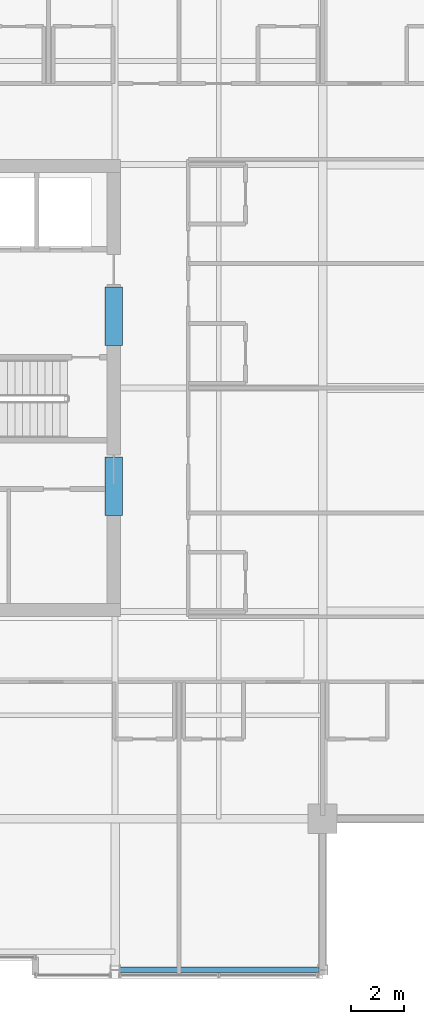
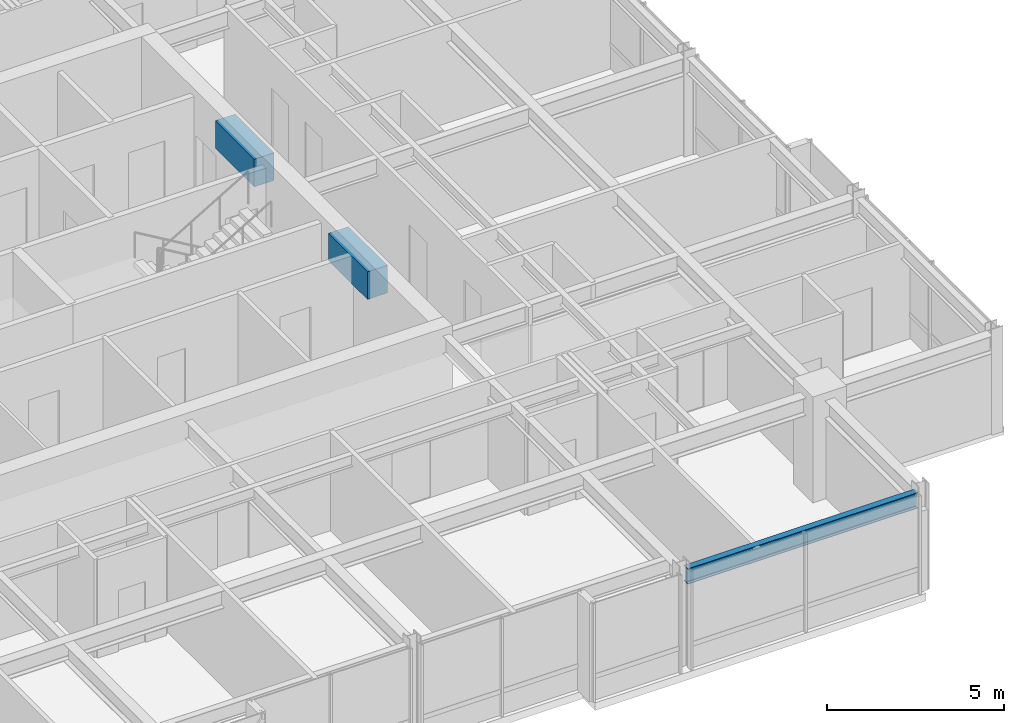
# One storey, part 14 of 33: 3 beams.
"""IFC4 building model written with IfcOpenShell, lengths in metres."""

from ifc_helpers import new_model, si_unit, direction, frame, origin, origin_2d, place, context, subcontext, project, spatial, rectangle, i_section, extrude, material, material_profile, profile_set, type_object, element, save


model = new_model("IFC4")

# Units and contexts
model_context = context("Model", 3, precision=1e-05, world=origin(), true_north=direction((0.0, 1.0)))
body_context = subcontext(model_context, "Body", "Model", "MODEL_VIEW")
ifc_project = project(units=[si_unit("LENGTHUNIT", "METRE"), si_unit("AREAUNIT", "SQUARE_METRE"), si_unit("VOLUMEUNIT", "CUBIC_METRE"), si_unit("PLANEANGLEUNIT", "RADIAN"), si_unit("MASSUNIT", "GRAM", prefix="KILO")], contexts=[model_context])

# Site, building, storey
site_placement = place(None, origin())
site = spatial("IfcSite", under=ifc_project, at=site_placement, CompositionType="ELEMENT")
building_placement = place(site_placement, origin())
building = spatial("IfcBuilding", under=site, at=building_placement, Name="Drelvath Grand Hotel", CompositionType="ELEMENT")
storey_placement = place(building_placement, frame((0.0, 0.0, 268.64990234375)))
storey = spatial("IfcBuildingStorey", under=building, at=storey_placement, Name="L70", CompositionType="ELEMENT", Elevation=268.64990234375)

# Beams
ifc_material_1 = material(Name="Concrete f'c 55 MPa", Category="concrete")
ifc_material_profile_1 = material_profile(ifc_material_1, rectangle(XDim=0.64990234375, YDim=0.949951171875, at=origin_2d()), Name="CB650X950")
ifc_profile_set_1 = profile_set([ifc_material_profile_1], Name="Concrete f'c 55 MPa")
beam_type_1 = type_object("IfcBeamType", Name="Core Coupling Lintel CB650X950", PredefinedType="LINTEL", material=ifc_profile_set_1)
for number, where, z_axis, x_axis, name in (
    (1, (8.35009765625, 22.199951171875, 2.9150390625), (0.0, 1.0, 0.0), (-1.0, 0.0, 0.0), "L70 Core Coupling Lintel ES"),
    (2, (8.35009765625, 28.60009765625, 2.9150390625), (0.0, 1.0, 0.0), (-1.0, 0.0, 0.0), "L70 Core Coupling Lintel EN"),
):
    element("IfcBeam", number, at=place(storey_placement, frame(where, z_axis=z_axis, x_axis=x_axis)), inside=storey, type_object=beam_type_1, Name=name, PredefinedType="LINTEL", context=body_context, shape_type="SweptSolid", body=[
        extrude(rectangle(XDim=0.64990234375, YDim=0.949951171875, at=origin_2d()), origin(), (0.0, 0.0, 1.0), 2.199951171875),
    ])
ifc_material_2 = material(Name="Steel ASTM A992 Gr 50", Category="steel")
ifc_material_profile_2 = material_profile(ifc_material_2, i_section(OverallWidth=0.210205078125, OverallDepth=0.53662109375, WebThickness=0.010986328125, FlangeThickness=0.017333984375, FilletRadius=0.01806640625, at=origin_2d()), Name="W21X68")
ifc_profile_set_2 = profile_set([ifc_material_profile_2], Name="Steel ASTM A992 Gr 50")
beam_type_2 = type_object("IfcBeamType", Name="Perimeter Spandrel Beam W21X68", PredefinedType="SPANDREL", material=ifc_profile_set_2)
beam_placement = place(storey_placement, frame((8.5400390625, 5.1201171875, 3.121826171875), z_axis=(1.0, 0.0, 0.0), x_axis=(0.0, 1.0, 0.0)))
element("IfcBeam", 3, at=beam_placement, inside=storey, type_object=beam_type_2, Name="L70 Spandrel South E", PredefinedType="SPANDREL", context=body_context, shape_type="SweptSolid", body=[
    extrude(i_section(OverallWidth=0.210205078125, OverallDepth=0.53662109375, WebThickness=0.010986328125, FlangeThickness=0.017333984375, FilletRadius=0.01806640625, at=origin_2d()), origin(), (0.0, 0.0, 1.0), 7.52001953125),
])

save(model, "model.ifc")
